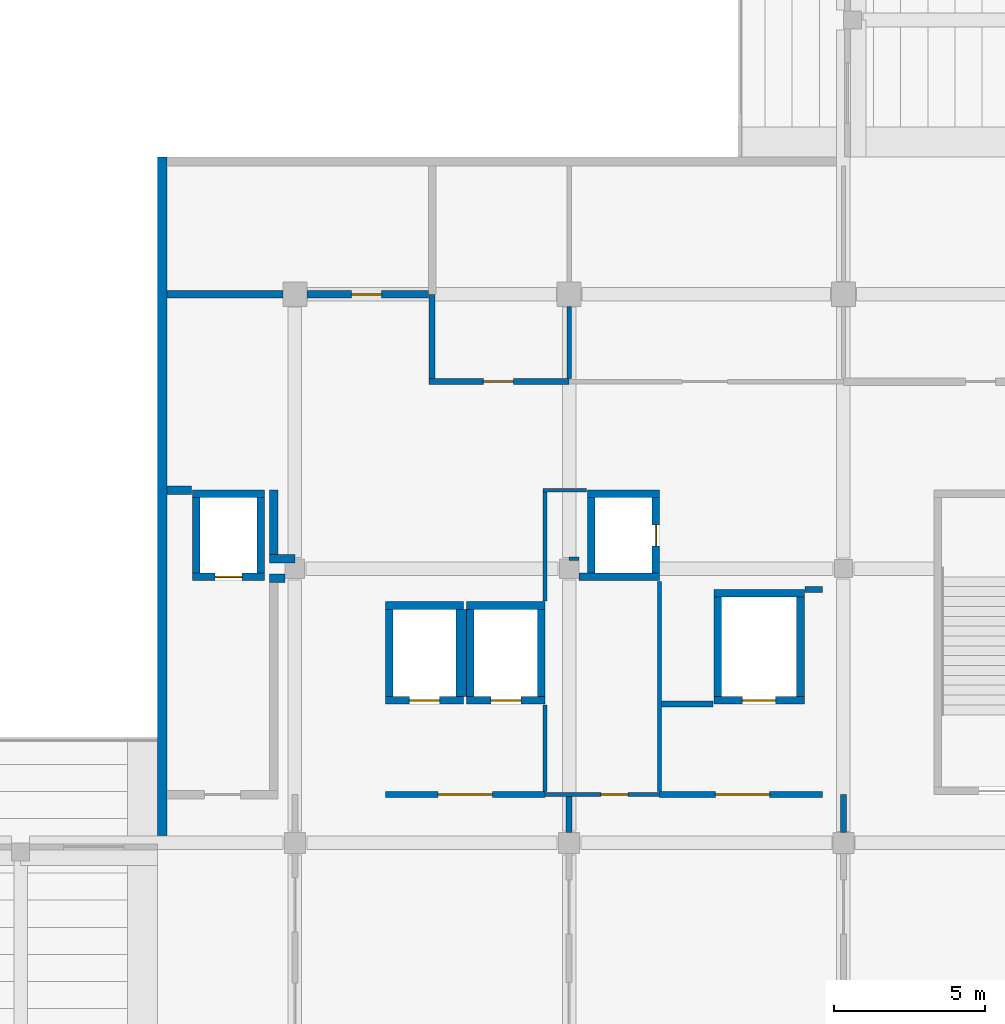
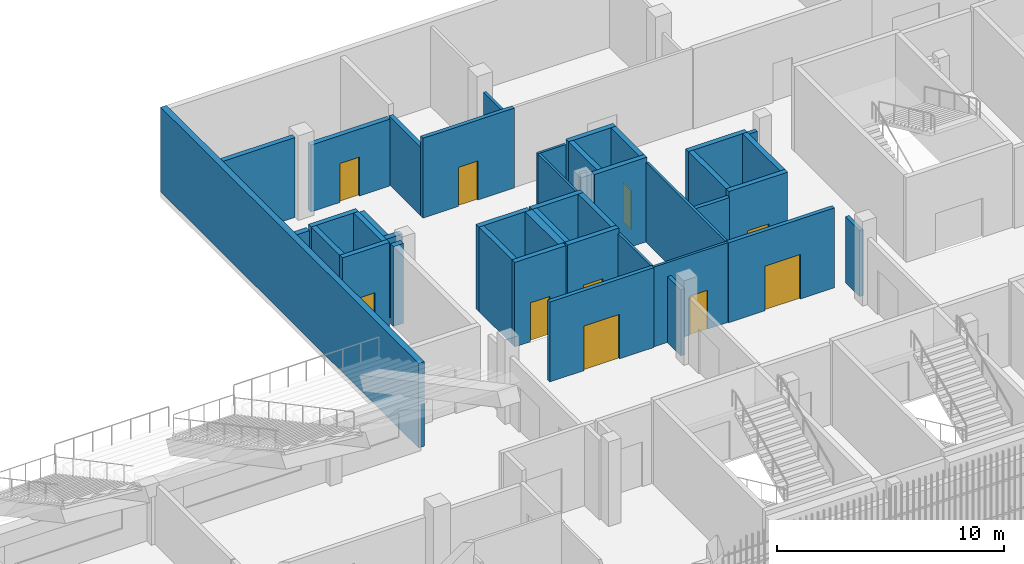
# One storey, part 80 of 139: 42 walls, 10 doors, 10 openings.
"""IFC4 building model written with IfcOpenShell, lengths in metres."""

from ifc_helpers import new_model, si_unit, direction, frame, frame_2d, origin, place, context, subcontext, project, spatial, rectangle, extrude, material, layer, layer_set, type_object, element, fill, save


model = new_model("IFC4")

# Units and contexts
model_context = context("Model", 3, precision=1e-05, world=origin(), true_north=direction((0.0, 1.0)))
body_context = subcontext(model_context, "Body", "Model", "MODEL_VIEW")
ifc_project = project(units=[si_unit("LENGTHUNIT", "METRE"), si_unit("AREAUNIT", "SQUARE_METRE"), si_unit("VOLUMEUNIT", "CUBIC_METRE"), si_unit("PLANEANGLEUNIT", "RADIAN"), si_unit("MASSUNIT", "GRAM", prefix="KILO")], contexts=[model_context])

# Site, building, storey
site_placement = place(None, origin())
site = spatial("IfcSite", under=ifc_project, at=site_placement, CompositionType="ELEMENT")
building_placement = place(site_placement, origin())
building = spatial("IfcBuilding", under=site, at=building_placement, Name="Shirokan Park Arena", CompositionType="ELEMENT")
storey_placement = place(building_placement, frame((0.0, 0.0, 15.469970703125)))
storey = spatial("IfcBuildingStorey", under=building, at=storey_placement, Name="L03", CompositionType="ELEMENT", Elevation=15.469970703125)

# Wall
ifc_material_1 = material(Name="Plaster")
ifc_layer_1 = layer(ifc_material_1, 0.014892578125, Name="Plaster")
ifc_material_2 = material(Name="Concrete blockwork", Category="masonry")
ifc_layer_2 = layer(ifc_material_2, 0.219970703125, Name="Concrete blockwork 220")
ifc_layer_3 = layer(ifc_material_1, 0.014892578125, Name="Plaster")
ifc_layer_set_1 = layer_set([ifc_layer_1, ifc_layer_2, ifc_layer_3], Name="Plaster + Concrete blockwork 220")
wall_type_1 = type_object("IfcWallType", Name="Compartment wall 250", PredefinedType="SOLIDWALL", material=ifc_layer_set_1)
wall_1_placement = place(storey_placement, frame((108.800048828125, 36.39990234375, 0.0), z_axis=(0.0, 0.0, 1.0), x_axis=(-1.0, 0.0, 0.0)))
element("IfcWall", 1, at=wall_1_placement, inside=storey, type_object=wall_type_1, Name="Compartment wall 250 L03", PredefinedType="SOLIDWALL", context=body_context, shape_type="SweptSolid", body=[
    extrude(rectangle(XDim=3.85009765625, YDim=0.25, at=frame_2d((1.925048828125, 0.0))), origin(), (0.0, 0.0, 1.0), 4.300048828125),
])

# Wall, opening, door
wall_2_placement = place(storey_placement, frame((113.625, 36.39990234375, 0.0), z_axis=(0.0, 0.0, 1.0), x_axis=(-1.0, 0.0, 0.0)))
wall_2 = element("IfcWall", 2, at=wall_2_placement, inside=storey, type_object=wall_type_1, Name="Compartment wall 250 L03", PredefinedType="SOLIDWALL", context=body_context, shape_type="SweptSolid", body=[
    extrude(rectangle(XDim=4.02490234375, YDim=0.25, at=frame_2d((2.012451171875, 0.0))), origin(), (0.0, 0.0, 1.0), 3.60009765625),
])
opening_1_placement = place(wall_2_placement, frame((1.550048828125, 0.0, 0.0)))
opening_1 = element("IfcOpeningElement", 3, at=opening_1_placement, cuts=wall_2, Name="Opening D-3022", PredefinedType="OPENING", context=body_context, shape_type="SweptSolid", body=[
    extrude(rectangle(XDim=1.0, YDim=2.10009765625, at=frame_2d((0.5, 1.050048828125))), frame((0.0, 0.135009765625, 0.0), z_axis=(0.0, -1.0, 0.0), x_axis=(1.0, 0.0, 0.0)), (0.0, 0.0, 1.0), 0.27001953125),
])
ifc_material_3 = material(Name="Timber door set, fire resisting", Category="wood")
door_type_1 = type_object("IfcDoorType", Name="Door 1000 x 2100", OperationType="SINGLE_SWING_LEFT", PredefinedType="DOOR", material=ifc_material_3)
door_1_placement = place(opening_1_placement, origin())
door_1 = element("IfcDoor", 4, at=door_1_placement, inside=storey, type_object=door_type_1, Name="Door to Suite Linen Store 3.24 D-3022", OperationType="SINGLE_SWING_RIGHT", OverallHeight=2.10009765625, OverallWidth=1.0, PredefinedType="DOOR", context=body_context, shape_type="SweptSolid", body=[
    extrude(rectangle(XDim=1.0, YDim=2.10009765625, at=frame_2d((0.5, 1.050048828125))), frame((0.0, 0.02490234375, 0.0), z_axis=(0.0, -1.0, 0.0), x_axis=(1.0, 0.0, 0.0)), (0.0, 0.0, 1.0), 0.050048828125),
])
fill(opening_1, door_1)

ifc_material_4 = material(Name="Gypsum board")
ifc_layer_4 = layer(ifc_material_4, 0.02490234375, Name="Gypsum board, two layers")
ifc_material_5 = material(Name="Mineral wool insulation")
ifc_layer_5 = layer(ifc_material_5, 0.14990234375, Name="Mineral wool insulation")
ifc_layer_6 = layer(ifc_material_4, 0.02490234375, Name="Gypsum board, two layers")
ifc_layer_set_2 = layer_set([ifc_layer_4, ifc_layer_5, ifc_layer_6], Name="Gypsum board, two layers + Mineral wool insulation")
wall_type_2 = type_object("IfcWallType", Name="Corridor wall 200", PredefinedType="PARTITIONING", material=ifc_layer_set_2)
wall_3_placement = place(storey_placement, frame((112.199951171875, 19.800048828125, 0.0), z_axis=(0.0, 0.0, 1.0), x_axis=(1.0, 0.0, 0.0)))
wall_3 = element("IfcWall", 5, at=wall_3_placement, inside=storey, type_object=wall_type_2, Name="Corridor wall 200 L03", PredefinedType="PARTITIONING", context=body_context, shape_type="SweptSolid", body=[
    extrude(rectangle(XDim=5.300048828125, YDim=0.199951171875, at=frame_2d((2.64990234375, 0.0))), origin(), (0.0, 0.0, 1.0), 4.300048828125),
])
opening_2_placement = place(wall_3_placement, frame((1.75, 0.0, 0.0)))
opening_2 = element("IfcOpeningElement", 6, at=opening_2_placement, cuts=wall_3, Name="Opening D-3107", PredefinedType="OPENING", context=body_context, shape_type="SweptSolid", body=[
    extrude(rectangle(XDim=1.800048828125, YDim=2.39990234375, at=frame_2d((0.89990234375, 1.199951171875))), frame((0.0, 0.10986328125, 0.0), z_axis=(0.0, -1.0, 0.0), x_axis=(1.0, 0.0, 0.0)), (0.0, 0.0, 1.0), 0.219970703125),
])
ifc_material_6 = material(Name="Glazed steel door set, fire resisting", Category="steel")
door_type_2 = type_object("IfcDoorType", Name="Lift lobby door 1800 x 2400", OperationType="DOUBLE_DOOR_SINGLE_SWING", PredefinedType="DOOR", material=ifc_material_6)
door_2_placement = place(opening_2_placement, origin())
door_2 = element("IfcDoor", 7, at=door_2_placement, inside=storey, type_object=door_type_2, Name="Door between Stair Lobby 2.3.4 and Lift Lobby 2.3 D-3107", OperationType="DOUBLE_DOOR_SINGLE_SWING", OverallHeight=2.39990234375, OverallWidth=1.800048828125, PredefinedType="DOOR", context=body_context, shape_type="SweptSolid", body=[
    extrude(rectangle(XDim=1.800048828125, YDim=2.39990234375, at=frame_2d((0.89990234375, 1.199951171875))), frame((0.0, 0.02490234375, 0.0), z_axis=(0.0, -1.0, 0.0), x_axis=(1.0, 0.0, 0.0)), (0.0, 0.0, 1.0), 0.050048828125),
])
fill(opening_2, door_2)

# Walls
wall_4_placement = place(storey_placement, frame((113.75, 33.60009765625, 0.0), z_axis=(0.0, 0.0, 1.0), x_axis=(0.0, 1.0, 0.0)))
element("IfcWall", 8, at=wall_4_placement, inside=storey, type_object=wall_type_2, Name="Corridor wall 200 L03", PredefinedType="PARTITIONING", context=body_context, shape_type="SweptSolid", body=[
    extrude(rectangle(XDim=2.7998046875, YDim=0.199951171875, at=frame_2d((1.39990234375, 0.0))), origin(), (0.0, 0.0, 1.0), 3.699951171875),
])
wall_5_placement = place(storey_placement, frame((118.300048828125, 18.550048828125, 0.0), z_axis=(0.0, 0.0, 1.0), x_axis=(0.0, 1.0, 0.0)))
element("IfcWall", 9, at=wall_5_placement, inside=storey, type_object=wall_type_2, Name="Corridor wall 200 L03", PredefinedType="PARTITIONING", context=body_context, shape_type="SweptSolid", body=[
    extrude(rectangle(XDim=1.1875, YDim=0.199951171875, at=frame_2d((0.59375, 0.0))), origin(), (0.0, 0.0, 1.0), 3.550048828125),
])

# Wall, opening, door
wall_6_placement = place(storey_placement, frame((118.300048828125, 33.5, 0.0), z_axis=(0.0, 0.0, 1.0), x_axis=(-1.0, 0.0, 0.0)))
wall_6 = element("IfcWall", 10, at=wall_6_placement, inside=storey, type_object=wall_type_2, Name="Corridor wall 200 L03", PredefinedType="PARTITIONING", context=body_context, shape_type="SweptSolid", body=[
    extrude(rectangle(XDim=4.650146484375, YDim=0.199951171875, at=frame_2d((2.3251953125, 0.0))), origin(), (0.0, 0.0, 1.0), 4.300048828125),
])
opening_3_placement = place(wall_6_placement, frame((1.85009765625, 0.0, 0.0)))
opening_3 = element("IfcOpeningElement", 11, at=opening_3_placement, cuts=wall_6, Name="Opening D-3021", PredefinedType="OPENING", context=body_context, shape_type="SweptSolid", body=[
    extrude(rectangle(XDim=1.0, YDim=2.10009765625, at=frame_2d((0.5, 1.050048828125))), frame((0.0, 0.10986328125, 0.0), z_axis=(0.0, -1.0, 0.0), x_axis=(1.0, 0.0, 0.0)), (0.0, 0.0, 1.0), 0.219970703125),
])
door_3_placement = place(opening_3_placement, origin())
door_3 = element("IfcDoor", 12, at=door_3_placement, inside=storey, type_object=door_type_1, Name="Door to Hospitality Office 3.23 D-3021", OperationType="SINGLE_SWING_RIGHT", OverallHeight=2.10009765625, OverallWidth=1.0, PredefinedType="DOOR", context=body_context, shape_type="SweptSolid", body=[
    extrude(rectangle(XDim=1.0, YDim=2.10009765625, at=frame_2d((0.5, 1.050048828125))), frame((0.0, 0.02490234375, 0.0), z_axis=(0.0, -1.0, 0.0), x_axis=(1.0, 0.0, 0.0)), (0.0, 0.0, 1.0), 0.050048828125),
])
fill(opening_3, door_3)

wall_7_placement = place(storey_placement, frame((121.300048828125, 19.800048828125, 0.0), z_axis=(0.0, 0.0, 1.0), x_axis=(1.0, 0.0, 0.0)))
wall_7 = element("IfcWall", 13, at=wall_7_placement, inside=storey, type_object=wall_type_2, Name="Corridor wall 200 L03", PredefinedType="PARTITIONING", context=body_context, shape_type="SweptSolid", body=[
    extrude(rectangle(XDim=5.39990234375, YDim=0.199951171875, at=frame_2d((2.699951171875, 0.0))), origin(), (0.0, 0.0, 1.0), 4.300048828125),
])
opening_4_placement = place(wall_7_placement, frame((1.85009765625, 0.0, 0.0)))
opening_4 = element("IfcOpeningElement", 14, at=opening_4_placement, cuts=wall_7, Name="Opening D-3104", PredefinedType="OPENING", context=body_context, shape_type="SweptSolid", body=[
    extrude(rectangle(XDim=1.800048828125, YDim=2.39990234375, at=frame_2d((0.89990234375, 1.199951171875))), frame((0.0, 0.10986328125, 0.0), z_axis=(0.0, -1.0, 0.0), x_axis=(1.0, 0.0, 0.0)), (0.0, 0.0, 1.0), 0.219970703125),
])
door_4_placement = place(opening_4_placement, origin())
door_4 = element("IfcDoor", 15, at=door_4_placement, inside=storey, type_object=door_type_2, Name="Door between Media Lobby 2.3.3 and Service Lift Lobby 2.3 D-3104", OperationType="DOUBLE_DOOR_SINGLE_SWING", OverallHeight=2.39990234375, OverallWidth=1.800048828125, PredefinedType="DOOR", context=body_context, shape_type="SweptSolid", body=[
    extrude(rectangle(XDim=1.800048828125, YDim=2.39990234375, at=frame_2d((0.89990234375, 1.199951171875))), frame((0.0, 0.02490234375, 0.0), z_axis=(0.0, -1.0, 0.0), x_axis=(1.0, 0.0, 0.0)), (0.0, 0.0, 1.0), 0.050048828125),
])
fill(opening_4, door_4)

# Walls
wall_8_placement = place(storey_placement, frame((121.362548828125, 22.800048828125, 0.0), z_axis=(0.0, 0.0, 1.0), x_axis=(1.0, 0.0, 0.0)))
element("IfcWall", 16, at=wall_8_placement, inside=storey, type_object=wall_type_2, Name="Corridor wall 200 L03", PredefinedType="PARTITIONING", context=body_context, shape_type="SweptSolid", body=[
    extrude(rectangle(XDim=1.70751953125, YDim=0.199951171875, at=frame_2d((0.853759765625, 0.0))), origin(), (0.0, 0.0, 1.0), 4.300048828125),
])
wall_9_placement = place(storey_placement, frame((126.1298828125, 26.60009765625, 0.0), z_axis=(0.0, 0.0, 1.0), x_axis=(1.0, 0.0, 0.0)))
element("IfcWall", 17, at=wall_9_placement, inside=storey, type_object=wall_type_2, Name="Corridor wall 200 L03", PredefinedType="PARTITIONING", context=body_context, shape_type="SweptSolid", body=[
    extrude(rectangle(XDim=0.570068359375, YDim=0.199951171875, at=frame_2d((0.28515625, 0.0))), origin(), (0.0, 0.0, 1.0), 4.300048828125),
])
wall_10_placement = place(storey_placement, frame((127.39990234375, 18.550048828125, 0.0), z_axis=(0.0, 0.0, 1.0), x_axis=(0.0, 1.0, 0.0)))
element("IfcWall", 18, at=wall_10_placement, inside=storey, type_object=wall_type_2, Name="Corridor wall 200 L03", PredefinedType="PARTITIONING", context=body_context, shape_type="SweptSolid", body=[
    extrude(rectangle(XDim=1.25, YDim=0.199951171875, at=frame_2d((0.625, 0.0))), origin(), (0.0, 0.0, 1.0), 3.550048828125),
])
ifc_material_7 = material(Name="Ceramic tile")
ifc_layer_7 = layer(ifc_material_7, 0.010009765625, Name="Ceramic tile")
ifc_material_8 = material(Name="Render")
ifc_layer_8 = layer(ifc_material_8, 0.010009765625, Name="Render")
ifc_layer_9 = layer(ifc_material_2, 0.10009765625, Name="Concrete blockwork 100")
ifc_layer_10 = layer(ifc_material_8, 0.010009765625, Name="Render")
ifc_layer_11 = layer(ifc_material_7, 0.010009765625, Name="Ceramic tile")
ifc_layer_set_3 = layer_set([ifc_layer_7, ifc_layer_8, ifc_layer_9, ifc_layer_10, ifc_layer_11], Name="Ceramic tile + Render + Concrete blockwork 100")
wall_type_3 = type_object("IfcWallType", Name="Kitchen wall 140", PredefinedType="SOLIDWALL", material=ifc_layer_set_3)
wall_11_placement = place(storey_placement, frame((118.300048828125, 33.60009765625, 0.0), z_axis=(0.0, 0.0, 1.0), x_axis=(0.0, 1.0, 0.0)))
element("IfcWall", 19, at=wall_11_placement, inside=storey, type_object=wall_type_3, Name="Kitchen wall 140 L03", PredefinedType="SOLIDWALL", context=body_context, shape_type="SweptSolid", body=[
    extrude(rectangle(XDim=2.39990234375, YDim=0.139892578125, at=frame_2d((1.199951171875, 0.0))), origin(), (0.0, 0.0, 1.0), 3.60009765625),
])
ifc_layer_12 = layer(ifc_material_1, 0.012451171875, Name="Plaster")
ifc_layer_13 = layer(ifc_material_2, 0.25, Name="Concrete blockwork 250")
ifc_layer_14 = layer(ifc_material_1, 0.012451171875, Name="Plaster")
ifc_layer_set_4 = layer_set([ifc_layer_12, ifc_layer_13, ifc_layer_14], Name="Plaster + Concrete blockwork 250")
wall_type_4 = type_object("IfcWallType", Name="Plant room wall 275", PredefinedType="SOLIDWALL", material=ifc_layer_set_4)
wall_12_placement = place(storey_placement, frame((104.949951171875, 29.89990234375, 0.0), z_axis=(0.0, 0.0, 1.0), x_axis=(1.0, 0.0, 0.0)))
element("IfcWall", 20, at=wall_12_placement, inside=storey, type_object=wall_type_4, Name="Plant room wall 275 L03", PredefinedType="SOLIDWALL", context=body_context, shape_type="SweptSolid", body=[
    extrude(rectangle(XDim=0.820068359375, YDim=0.27490234375, at=frame_2d((0.41015625, 0.0))), origin(), (0.0, 0.0, 1.0), 4.300048828125),
])
wall_13_placement = place(storey_placement, frame((108.362548828125, 26.97509765625, 0.0), z_axis=(0.0, 0.0, 1.0), x_axis=(1.0, 0.0, 0.0)))
element("IfcWall", 21, at=wall_13_placement, inside=storey, type_object=wall_type_4, Name="Plant room wall 275 L03", PredefinedType="SOLIDWALL", context=body_context, shape_type="SweptSolid", body=[
    extrude(rectangle(XDim=0.512451171875, YDim=0.27490234375, at=frame_2d((0.25634765625, 0.0))), origin(), (0.0, 0.0, 1.0), 4.300048828125),
])
wall_14_placement = place(storey_placement, frame((108.362548828125, 27.625, 0.0), z_axis=(0.0, 0.0, 1.0), x_axis=(1.0, 0.0, 0.0)))
element("IfcWall", 22, at=wall_14_placement, inside=storey, type_object=wall_type_4, Name="Plant room wall 275 L03", PredefinedType="SOLIDWALL", context=body_context, shape_type="SweptSolid", body=[
    extrude(rectangle(XDim=0.83740234375, YDim=0.27490234375, at=frame_2d((0.418701171875, 0.0))), origin(), (0.0, 0.0, 1.0), 4.300048828125),
])
wall_15_placement = place(storey_placement, frame((108.5, 27.762451171875, 0.0), z_axis=(0.0, 0.0, 1.0), x_axis=(0.0, 1.0, 0.0)))
element("IfcWall", 23, at=wall_15_placement, inside=storey, type_object=wall_type_4, Name="Plant room wall 275 L03", PredefinedType="SOLIDWALL", context=body_context, shape_type="SweptSolid", body=[
    extrude(rectangle(XDim=2.137451171875, YDim=0.27490234375, at=frame_2d((1.06884765625, 0.0))), origin(), (0.0, 0.0, 1.0), 4.300048828125),
])
ifc_material_9 = material(Name="Concrete C35", Category="concrete")
ifc_layer_15 = layer(ifc_material_9, 0.300048828125)
ifc_layer_set_5 = layer_set([ifc_layer_15], Name="Concrete C35 300 mm")
wall_type_5 = type_object("IfcWallType", Name="RC flank wall 300", PredefinedType="SHEAR", material=ifc_layer_set_5)
wall_16_placement = place(storey_placement, frame((104.800048828125, 40.949951171875, 0.0), z_axis=(0.0, 0.0, 1.0), x_axis=(0.0, -1.0, 0.0)))
element("IfcWall", 24, at=wall_16_placement, inside=storey, type_object=wall_type_5, Name="Flank wall S2 L03", PredefinedType="SHEAR", context=body_context, shape_type="SweptSolid", body=[
    extrude(rectangle(XDim=22.75, YDim=0.300048828125, at=frame_2d((11.375, 0.0))), origin(), (0.0, 0.0, 1.0), 4.550048828125),
])

# Wall, opening, door
ifc_material_10 = material(Name="Concrete C40/50", Category="concrete")
ifc_layer_16 = layer(ifc_material_10, 0.25)
ifc_layer_set_6 = layer_set([ifc_layer_16], Name="Concrete C40/50 250 mm")
wall_type_6 = type_object("IfcWallType", Name="RC shear wall 250", PredefinedType="SHEAR", material=ifc_layer_set_6)
wall_17_placement = place(storey_placement, frame((117.5, 22.925048828125, 0.0), z_axis=(0.0, 0.0, 1.0), x_axis=(-1.0, 0.0, 0.0)))
wall_17 = element("IfcWall", 25, at=wall_17_placement, inside=storey, type_object=wall_type_6, Name="Shaft wall Passenger Lift 2.1 S L03", PredefinedType="SHEAR", context=body_context, shape_type="SweptSolid", body=[
    extrude(rectangle(XDim=2.60009765625, YDim=0.25, at=frame_2d((1.300048828125, 0.0))), origin(), (0.0, 0.0, 1.0), 4.550048828125),
])
opening_5_placement = place(wall_17_placement, frame((0.800048828125, 0.0, 0.0)))
opening_5 = element("IfcOpeningElement", 26, at=opening_5_placement, cuts=wall_17, Name="Opening LD16", PredefinedType="OPENING", context=body_context, shape_type="SweptSolid", body=[
    extrude(rectangle(XDim=1.0, YDim=2.10009765625, at=frame_2d((0.5, 1.050048828125))), frame((0.0, 0.135009765625, 0.0), z_axis=(0.0, -1.0, 0.0), x_axis=(1.0, 0.0, 0.0)), (0.0, 0.0, 1.0), 0.27001953125),
])
ifc_material_11 = material(Name="Stainless steel", Category="steel")
door_type_3 = type_object("IfcDoorType", Name="Lift landing door 1000x2100", OperationType="DOUBLE_DOOR_SLIDING", PredefinedType="DOOR", material=ifc_material_11)
door_5_placement = place(opening_5_placement, origin())
door_5 = element("IfcDoor", 27, at=door_5_placement, inside=storey, type_object=door_type_3, Name="Lift landing door Passenger Lift 2.1 L03", OperationType="DOUBLE_DOOR_SLIDING", OverallHeight=2.10009765625, OverallWidth=1.0, PredefinedType="DOOR", context=body_context, shape_type="SweptSolid", body=[
    extrude(rectangle(XDim=1.0, YDim=2.10009765625, at=frame_2d((0.5, 1.050048828125))), frame((0.0, 0.02490234375, 0.0), z_axis=(0.0, -1.0, 0.0), x_axis=(1.0, 0.0, 0.0)), (0.0, 0.0, 1.0), 0.050048828125),
])
fill(opening_5, door_5)

# Walls
wall_18_placement = place(storey_placement, frame((117.5, 26.074951171875, 0.0), z_axis=(0.0, 0.0, 1.0), x_axis=(-1.0, 0.0, 0.0)))
element("IfcWall", 28, at=wall_18_placement, inside=storey, type_object=wall_type_6, Name="Shaft wall Passenger Lift 2.1 N L03", PredefinedType="SHEAR", context=body_context, shape_type="SweptSolid", body=[
    extrude(rectangle(XDim=2.60009765625, YDim=0.25, at=frame_2d((1.300048828125, 0.0))), origin(), (0.0, 0.0, 1.0), 4.550048828125),
])
for number, where, z_axis, x_axis, name in (
    (29, (115.02490234375, 25.949951171875, 0.0), (0.0, 0.0, 1.0), (0.0, -1.0, 0.0), "Shaft wall Passenger Lift 2.1 W L03"),
    (30, (117.375, 25.949951171875, 0.0), (0.0, 0.0, 1.0), (0.0, -1.0, 0.0), "Shaft wall Passenger Lift 2.1 E L03"),
):
    element("IfcWall", number, at=place(storey_placement, frame(where, z_axis=z_axis, x_axis=x_axis)), inside=storey, type_object=wall_type_6, Name=name, PredefinedType="SHEAR", context=body_context, shape_type="SweptSolid", body=[
        extrude(rectangle(XDim=2.89990234375, YDim=0.25, at=frame_2d((1.449951171875, 0.0))), origin(), (0.0, 0.0, 1.0), 4.550048828125),
    ])

# Wall, opening, door
wall_19_placement = place(storey_placement, frame((114.800048828125, 22.925048828125, 0.0), z_axis=(0.0, 0.0, 1.0), x_axis=(-1.0, 0.0, 0.0)))
wall_19 = element("IfcWall", 31, at=wall_19_placement, inside=storey, type_object=wall_type_6, Name="Shaft wall Passenger Lift 2.2 S L03", PredefinedType="SHEAR", context=body_context, shape_type="SweptSolid", body=[
    extrude(rectangle(XDim=2.60009765625, YDim=0.25, at=frame_2d((1.300048828125, 0.0))), origin(), (0.0, 0.0, 1.0), 4.550048828125),
])
opening_6_placement = place(wall_19_placement, frame((0.800048828125, 0.0, 0.0)))
opening_6 = element("IfcOpeningElement", 32, at=opening_6_placement, cuts=wall_19, Name="Opening LD22", PredefinedType="OPENING", context=body_context, shape_type="SweptSolid", body=[
    extrude(rectangle(XDim=1.0, YDim=2.10009765625, at=frame_2d((0.5, 1.050048828125))), frame((0.0, 0.135009765625, 0.0), z_axis=(0.0, -1.0, 0.0), x_axis=(1.0, 0.0, 0.0)), (0.0, 0.0, 1.0), 0.27001953125),
])
door_6_placement = place(opening_6_placement, origin())
door_6 = element("IfcDoor", 33, at=door_6_placement, inside=storey, type_object=door_type_3, Name="Lift landing door Passenger Lift 2.2 L03", OperationType="DOUBLE_DOOR_SLIDING", OverallHeight=2.10009765625, OverallWidth=1.0, PredefinedType="DOOR", context=body_context, shape_type="SweptSolid", body=[
    extrude(rectangle(XDim=1.0, YDim=2.10009765625, at=frame_2d((0.5, 1.050048828125))), frame((0.0, 0.02490234375, 0.0), z_axis=(0.0, -1.0, 0.0), x_axis=(1.0, 0.0, 0.0)), (0.0, 0.0, 1.0), 0.050048828125),
])
fill(opening_6, door_6)

# Walls
wall_20_placement = place(storey_placement, frame((114.800048828125, 26.074951171875, 0.0), z_axis=(0.0, 0.0, 1.0), x_axis=(-1.0, 0.0, 0.0)))
element("IfcWall", 34, at=wall_20_placement, inside=storey, type_object=wall_type_6, Name="Shaft wall Passenger Lift 2.2 N L03", PredefinedType="SHEAR", context=body_context, shape_type="SweptSolid", body=[
    extrude(rectangle(XDim=2.60009765625, YDim=0.25, at=frame_2d((1.300048828125, 0.0))), origin(), (0.0, 0.0, 1.0), 4.550048828125),
])
wall_21_placement = place(storey_placement, frame((112.324951171875, 25.949951171875, 0.0), z_axis=(0.0, 0.0, 1.0), x_axis=(0.0, -1.0, 0.0)))
element("IfcWall", 35, at=wall_21_placement, inside=storey, type_object=wall_type_6, Name="Shaft wall Passenger Lift 2.2 W L03", PredefinedType="SHEAR", context=body_context, shape_type="SweptSolid", body=[
    extrude(rectangle(XDim=2.89990234375, YDim=0.25, at=frame_2d((1.449951171875, 0.0))), origin(), (0.0, 0.0, 1.0), 4.550048828125),
])

# Wall, opening, door
wall_22_placement = place(storey_placement, frame((108.199951171875, 27.02490234375, 0.0), z_axis=(0.0, 0.0, 1.0), x_axis=(-1.0, 0.0, 0.0)))
wall_22 = element("IfcWall", 36, at=wall_22_placement, inside=storey, type_object=wall_type_6, Name="Shaft wall Services Riser 2.1 S L03", PredefinedType="SHEAR", context=body_context, shape_type="SweptSolid", body=[
    extrude(rectangle(XDim=2.39990234375, YDim=0.25, at=frame_2d((1.199951171875, 0.0))), origin(), (0.0, 0.0, 1.0), 4.550048828125),
])
opening_7_placement = place(wall_22_placement, frame((0.75, 0.0, 0.0)))
opening_7 = element("IfcOpeningElement", 37, at=opening_7_placement, cuts=wall_22, Name="Opening D-3140", PredefinedType="OPENING", context=body_context, shape_type="SweptSolid", body=[
    extrude(rectangle(XDim=0.89990234375, YDim=2.10009765625, at=frame_2d((0.449951171875, 1.050048828125))), frame((0.0, 0.135009765625, 0.0), z_axis=(0.0, -1.0, 0.0), x_axis=(1.0, 0.0, 0.0)), (0.0, 0.0, 1.0), 0.27001953125),
])
ifc_material_12 = material(Name="Steel door set, fire resisting", Category="steel")
door_type_4 = type_object("IfcDoorType", Name="Electrical riser door 900 x 2100", OperationType="SINGLE_SWING_LEFT", PredefinedType="DOOR", material=ifc_material_12)
door_7_placement = place(opening_7_placement, origin())
door_7 = element("IfcDoor", 38, at=door_7_placement, inside=storey, type_object=door_type_4, Name="Riser access door Services Riser 2.1 D-3140", OperationType="SINGLE_SWING_LEFT", OverallHeight=2.10009765625, OverallWidth=0.89990234375, PredefinedType="DOOR", context=body_context, shape_type="SweptSolid", body=[
    extrude(rectangle(XDim=0.89990234375, YDim=2.10009765625, at=frame_2d((0.449951171875, 1.050048828125))), frame((0.0, 0.02490234375, 0.0), z_axis=(0.0, -1.0, 0.0), x_axis=(1.0, 0.0, 0.0)), (0.0, 0.0, 1.0), 0.050048828125),
])
fill(opening_7, door_7)

# Walls
wall_23_placement = place(storey_placement, frame((108.199951171875, 29.77490234375, 0.0), z_axis=(0.0, 0.0, 1.0), x_axis=(-1.0, 0.0, 0.0)))
element("IfcWall", 39, at=wall_23_placement, inside=storey, type_object=wall_type_6, Name="Shaft wall Services Riser 2.1 N L03", PredefinedType="SHEAR", context=body_context, shape_type="SweptSolid", body=[
    extrude(rectangle(XDim=2.39990234375, YDim=0.25, at=frame_2d((1.199951171875, 0.0))), origin(), (0.0, 0.0, 1.0), 4.550048828125),
])
for number, where, z_axis, x_axis, name in (
    (40, (105.925048828125, 29.64990234375, 0.0), (0.0, 0.0, 1.0), (0.0, -1.0, 0.0), "Shaft wall Services Riser 2.1 W L03"),
    (41, (108.074951171875, 29.64990234375, 0.0), (0.0, 0.0, 1.0), (0.0, -1.0, 0.0), "Shaft wall Services Riser 2.1 E L03"),
):
    element("IfcWall", number, at=place(storey_placement, frame(where, z_axis=z_axis, x_axis=x_axis)), inside=storey, type_object=wall_type_6, Name=name, PredefinedType="SHEAR", context=body_context, shape_type="SweptSolid", body=[
        extrude(rectangle(XDim=2.5, YDim=0.25, at=frame_2d((1.25, 0.0))), origin(), (0.0, 0.0, 1.0), 4.550048828125),
    ])
wall_24_placement = place(storey_placement, frame((121.300048828125, 27.02490234375, 0.0), z_axis=(0.0, 0.0, 1.0), x_axis=(-1.0, 0.0, 0.0)))
element("IfcWall", 42, at=wall_24_placement, inside=storey, type_object=wall_type_6, Name="Shaft wall Services Riser 2.2 S L03", PredefinedType="SHEAR", context=body_context, shape_type="SweptSolid", body=[
    extrude(rectangle(XDim=2.675048828125, YDim=0.25, at=frame_2d((1.33740234375, 0.0))), origin(), (0.0, 0.0, 1.0), 4.550048828125),
])
wall_25_placement = place(storey_placement, frame((121.300048828125, 29.77490234375, 0.0), z_axis=(0.0, 0.0, 1.0), x_axis=(-1.0, 0.0, 0.0)))
element("IfcWall", 43, at=wall_25_placement, inside=storey, type_object=wall_type_6, Name="Shaft wall Services Riser 2.2 N L03", PredefinedType="SHEAR", context=body_context, shape_type="SweptSolid", body=[
    extrude(rectangle(XDim=2.400146484375, YDim=0.25, at=frame_2d((1.2001953125, 0.0))), origin(), (0.0, 0.0, 1.0), 4.550048828125),
])
wall_26_placement = place(storey_placement, frame((119.02490234375, 29.64990234375, 0.0), z_axis=(0.0, 0.0, 1.0), x_axis=(0.0, -1.0, 0.0)))
element("IfcWall", 44, at=wall_26_placement, inside=storey, type_object=wall_type_6, Name="Shaft wall Services Riser 2.2 W L03", PredefinedType="SHEAR", context=body_context, shape_type="SweptSolid", body=[
    extrude(rectangle(XDim=2.5, YDim=0.25, at=frame_2d((1.25, 0.0))), origin(), (0.0, 0.0, 1.0), 4.550048828125),
])

# Wall, opening, door
wall_27_placement = place(storey_placement, frame((121.175048828125, 29.64990234375, 0.0), z_axis=(0.0, 0.0, 1.0), x_axis=(0.0, -1.0, 0.0)))
wall_27 = element("IfcWall", 45, at=wall_27_placement, inside=storey, type_object=wall_type_6, Name="Shaft wall Services Riser 2.2 E L03", PredefinedType="SHEAR", context=body_context, shape_type="SweptSolid", body=[
    extrude(rectangle(XDim=2.5, YDim=0.25, at=frame_2d((1.25, 0.0))), origin(), (0.0, 0.0, 1.0), 4.550048828125),
])
opening_8_placement = place(wall_27_placement, frame((0.89990234375, 0.0, 0.0)))
opening_8 = element("IfcOpeningElement", 46, at=opening_8_placement, cuts=wall_27, Name="Opening D-3141", PredefinedType="OPENING", context=body_context, shape_type="SweptSolid", body=[
    extrude(rectangle(XDim=0.699951171875, YDim=2.10009765625, at=frame_2d((0.35009765625, 1.050048828125))), frame((0.0, 0.135009765625, 0.0), z_axis=(0.0, -1.0, 0.0), x_axis=(1.0, 0.0, 0.0)), (0.0, 0.0, 1.0), 0.27001953125),
])
door_type_5 = type_object("IfcDoorType", Name="Mechanical riser door 700 x 2100", OperationType="SINGLE_SWING_LEFT", PredefinedType="DOOR", material=ifc_material_12)
door_8_placement = place(opening_8_placement, origin())
door_8 = element("IfcDoor", 47, at=door_8_placement, inside=storey, type_object=door_type_5, Name="Riser access door Services Riser 2.2 D-3141", OperationType="SINGLE_SWING_RIGHT", OverallHeight=2.10009765625, OverallWidth=0.699951171875, PredefinedType="DOOR", context=body_context, shape_type="SweptSolid", body=[
    extrude(rectangle(XDim=0.699951171875, YDim=2.10009765625, at=frame_2d((0.35009765625, 1.050048828125))), frame((0.0, 0.02490234375, 0.0), z_axis=(0.0, -1.0, 0.0), x_axis=(1.0, 0.0, 0.0)), (0.0, 0.0, 1.0), 0.050048828125),
])
fill(opening_8, door_8)

wall_28_placement = place(storey_placement, frame((126.10009765625, 22.925048828125, 0.0), z_axis=(0.0, 0.0, 1.0), x_axis=(-1.0, 0.0, 0.0)))
wall_28 = element("IfcWall", 48, at=wall_28_placement, inside=storey, type_object=wall_type_6, Name="Shaft wall Service Lift 2 S L03", PredefinedType="SHEAR", context=body_context, shape_type="SweptSolid", body=[
    extrude(rectangle(XDim=3.0, YDim=0.25, at=frame_2d((1.5, 0.0))), origin(), (0.0, 0.0, 1.0), 4.550048828125),
])
opening_9_placement = place(wall_28_placement, frame((0.949951171875, 0.0, 0.0)))
opening_9 = element("IfcOpeningElement", 49, at=opening_9_placement, cuts=wall_28, Name="Opening LD59", PredefinedType="OPENING", context=body_context, shape_type="SweptSolid", body=[
    extrude(rectangle(XDim=1.10009765625, YDim=2.10009765625, at=frame_2d((0.550048828125, 1.050048828125))), frame((0.0, 0.135009765625, 0.0), z_axis=(0.0, -1.0, 0.0), x_axis=(1.0, 0.0, 0.0)), (0.0, 0.0, 1.0), 0.27001953125),
])
door_type_6 = type_object("IfcDoorType", Name="Lift landing door 1100x2100", OperationType="DOUBLE_DOOR_SLIDING", PredefinedType="DOOR", material=ifc_material_11)
door_9_placement = place(opening_9_placement, origin())
door_9 = element("IfcDoor", 50, at=door_9_placement, inside=storey, type_object=door_type_6, Name="Lift landing door Service Lift 2 L03", OperationType="DOUBLE_DOOR_SLIDING", OverallHeight=2.10009765625, OverallWidth=1.10009765625, PredefinedType="DOOR", context=body_context, shape_type="SweptSolid", body=[
    extrude(rectangle(XDim=1.10009765625, YDim=2.10009765625, at=frame_2d((0.550048828125, 1.050048828125))), frame((0.0, 0.02490234375, 0.0), z_axis=(0.0, -1.0, 0.0), x_axis=(1.0, 0.0, 0.0)), (0.0, 0.0, 1.0), 0.050048828125),
])
fill(opening_9, door_9)

# Walls
wall_29_placement = place(storey_placement, frame((126.10009765625, 26.47509765625, 0.0), z_axis=(0.0, 0.0, 1.0), x_axis=(-1.0, 0.0, 0.0)))
element("IfcWall", 51, at=wall_29_placement, inside=storey, type_object=wall_type_6, Name="Shaft wall Service Lift 2 N L03", PredefinedType="SHEAR", context=body_context, shape_type="SweptSolid", body=[
    extrude(rectangle(XDim=3.0, YDim=0.25, at=frame_2d((1.5, 0.0))), origin(), (0.0, 0.0, 1.0), 4.550048828125),
])
for number, where, z_axis, x_axis, name in (
    (52, (123.22509765625, 26.35009765625, 0.0), (0.0, 0.0, 1.0), (0.0, -1.0, 0.0), "Shaft wall Service Lift 2 W L03"),
    (53, (125.97509765625, 26.35009765625, 0.0), (0.0, 0.0, 1.0), (0.0, -1.0, 0.0), "Shaft wall Service Lift 2 E L03"),
):
    element("IfcWall", number, at=place(storey_placement, frame(where, z_axis=z_axis, x_axis=x_axis)), inside=storey, type_object=wall_type_6, Name=name, PredefinedType="SHEAR", context=body_context, shape_type="SweptSolid", body=[
        extrude(rectangle(XDim=3.300048828125, YDim=0.25, at=frame_2d((1.64990234375, 0.0))), origin(), (0.0, 0.0, 1.0), 4.550048828125),
    ])
ifc_layer_17 = layer(ifc_material_10, 0.35009765625)
ifc_layer_set_7 = layer_set([ifc_layer_17], Name="Concrete C40/50 350 mm")
wall_type_7 = type_object("IfcWallType", Name="RC shear wall 350", PredefinedType="SHEAR", material=ifc_layer_set_7)
wall_30_placement = place(storey_placement, frame((114.72509765625, 25.949951171875, 0.0), z_axis=(0.0, 0.0, 1.0), x_axis=(0.0, -1.0, 0.0)))
element("IfcWall", 54, at=wall_30_placement, inside=storey, type_object=wall_type_7, Name="Shaft wall Passenger Lift 2.2 E L03", PredefinedType="SHEAR", context=body_context, shape_type="SweptSolid", body=[
    extrude(rectangle(XDim=2.89990234375, YDim=0.35009765625, at=frame_2d((1.449951171875, 0.0))), origin(), (0.0, 0.0, 1.0), 4.550048828125),
])
ifc_layer_18 = layer(ifc_material_7, 0.010009765625, Name="Ceramic tile")
ifc_material_13 = material(Name="Cement board")
ifc_layer_19 = layer(ifc_material_13, 0.012451171875, Name="Cement board")
ifc_layer_20 = layer(ifc_material_5, 0.080078125, Name="Mineral wool insulation")
ifc_layer_21 = layer(ifc_material_13, 0.012451171875, Name="Cement board")
ifc_layer_22 = layer(ifc_material_7, 0.010009765625, Name="Ceramic tile")
ifc_layer_set_8 = layer_set([ifc_layer_18, ifc_layer_19, ifc_layer_20, ifc_layer_21, ifc_layer_22], Name="Ceramic tile + Cement board + Mineral wool insulation")
wall_type_8 = type_object("IfcWallType", Name="Wet-area wall 125", PredefinedType="PARTITIONING", material=ifc_layer_set_8)
wall_31_placement = place(storey_placement, frame((117.4375, 29.89990234375, 0.0), z_axis=(0.0, 0.0, 1.0), x_axis=(1.0, 0.0, 0.0)))
element("IfcWall", 55, at=wall_31_placement, inside=storey, type_object=wall_type_8, Name="Wet-area wall 125 L03", PredefinedType="PARTITIONING", context=body_context, shape_type="SweptSolid", body=[
    extrude(rectangle(XDim=1.4326171875, YDim=0.125, at=frame_2d((0.71630859375, 0.0))), origin(), (0.0, 0.0, 1.0), 4.300048828125),
])

# Wall, opening, door
wall_32_placement = place(storey_placement, frame((117.5, 19.800048828125, 0.0), z_axis=(0.0, 0.0, 1.0), x_axis=(1.0, 0.0, 0.0)))
wall_32 = element("IfcWall", 56, at=wall_32_placement, inside=storey, type_object=wall_type_8, Name="Wet-area wall 125 L03", PredefinedType="PARTITIONING", context=body_context, shape_type="SweptSolid", body=[
    extrude(rectangle(XDim=3.800048828125, YDim=0.125, at=frame_2d((1.89990234375, 0.0))), origin(), (0.0, 0.0, 1.0), 4.300048828125),
])
opening_10_placement = place(wall_32_placement, frame((1.85009765625, 0.0, 0.0)))
opening_10 = element("IfcOpeningElement", 57, at=opening_10_placement, cuts=wall_32, Name="Opening D-3014", PredefinedType="OPENING", context=body_context, shape_type="SweptSolid", body=[
    extrude(rectangle(XDim=0.89990234375, YDim=2.10009765625, at=frame_2d((0.449951171875, 1.050048828125))), frame((0.0, 0.072509765625, 0.0), z_axis=(0.0, -1.0, 0.0), x_axis=(1.0, 0.0, 0.0)), (0.0, 0.0, 1.0), 0.14501953125),
])
door_type_7 = type_object("IfcDoorType", Name="Door 900 x 2100", OperationType="SINGLE_SWING_LEFT", PredefinedType="DOOR", material=ifc_material_3)
door_10_placement = place(opening_10_placement, origin())
door_10 = element("IfcDoor", 58, at=door_10_placement, inside=storey, type_object=door_type_7, Name="Door to Staff WC 3.28 D-3014", OperationType="SINGLE_SWING_LEFT", OverallHeight=2.10009765625, OverallWidth=0.89990234375, PredefinedType="DOOR", context=body_context, shape_type="SweptSolid", body=[
    extrude(rectangle(XDim=0.89990234375, YDim=2.10009765625, at=frame_2d((0.449951171875, 1.050048828125))), frame((0.0, 0.02490234375, 0.0), z_axis=(0.0, -1.0, 0.0), x_axis=(1.0, 0.0, 0.0)), (0.0, 0.0, 1.0), 0.050048828125),
])
fill(opening_10, door_10)

# Walls
wall_33_placement = place(storey_placement, frame((117.5, 19.89990234375, 0.0), z_axis=(0.0, 0.0, 1.0), x_axis=(0.0, 1.0, 0.0)))
element("IfcWall", 59, at=wall_33_placement, inside=storey, type_object=wall_type_8, Name="Wet-area wall 125 L03", PredefinedType="PARTITIONING", context=body_context, shape_type="SweptSolid", body=[
    extrude(rectangle(XDim=2.8701171875, YDim=0.125, at=frame_2d((1.43505859375, 0.0))), origin(), (0.0, 0.0, 1.0), 4.300048828125),
])
wall_34_placement = place(storey_placement, frame((117.5, 26.22998046875, 0.0), z_axis=(0.0, 0.0, 1.0), x_axis=(0.0, 1.0, 0.0)))
element("IfcWall", 60, at=wall_34_placement, inside=storey, type_object=wall_type_8, Name="Wet-area wall 125 L03", PredefinedType="PARTITIONING", context=body_context, shape_type="SweptSolid", body=[
    extrude(rectangle(XDim=3.607421875, YDim=0.125, at=frame_2d((1.8037109375, 0.0))), origin(), (0.0, 0.0, 1.0), 4.300048828125),
])
wall_35_placement = place(storey_placement, frame((118.625, 27.625, 0.0), z_axis=(0.0, 0.0, 1.0), x_axis=(-1.0, 0.0, 0.0)))
element("IfcWall", 61, at=wall_35_placement, inside=storey, type_object=wall_type_8, Name="Wet-area wall 125 L03", PredefinedType="PARTITIONING", context=body_context, shape_type="SweptSolid", body=[
    extrude(rectangle(XDim=0.324951171875, YDim=0.125, at=frame_2d((0.16259765625, 0.0))), origin(), (0.0, 0.0, 1.0), 4.300048828125),
])
wall_36_placement = place(storey_placement, frame((121.300048828125, 19.89990234375, 0.0), z_axis=(0.0, 0.0, 1.0), x_axis=(0.0, 1.0, 0.0)))
element("IfcWall", 62, at=wall_36_placement, inside=storey, type_object=wall_type_8, Name="Wet-area wall 125 L03", PredefinedType="PARTITIONING", context=body_context, shape_type="SweptSolid", body=[
    extrude(rectangle(XDim=6.97021484375, YDim=0.125, at=frame_2d((3.485107421875, 0.0))), origin(), (0.0, 0.0, 1.0), 4.300048828125),
])

save(model, "model.ifc")
